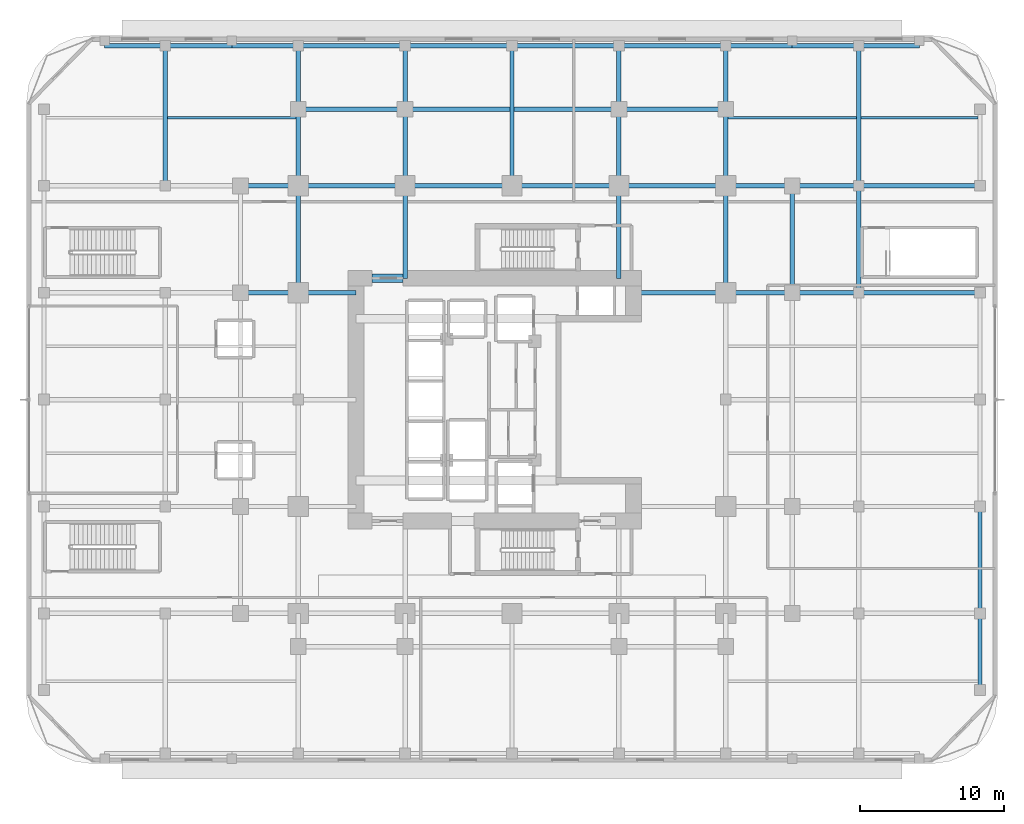
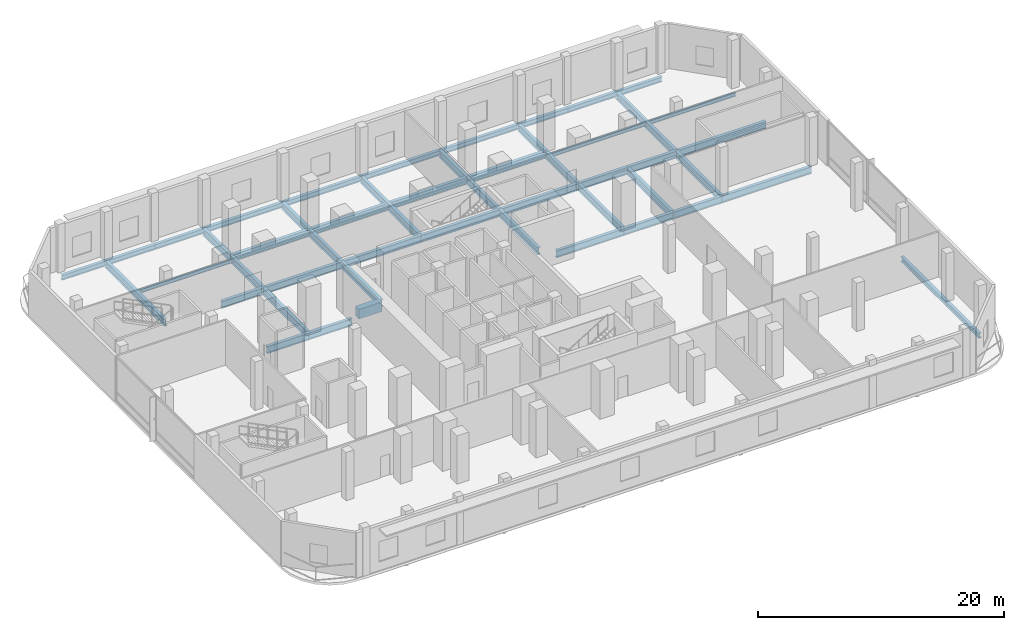
# One storey, part 5 of 19: 50 beams.
"""IFC4 building model written with IfcOpenShell, lengths in metres."""

from ifc_helpers import new_model, si_unit, direction, frame, origin, origin_2d, place, context, subcontext, project, spatial, rectangle, i_section, extrude, material, material_profile, profile_set, type_object, element, save


model = new_model("IFC4")

# Units and contexts
model_context = context("Model", 3, precision=1e-05, world=origin(), true_north=direction((0.0, 1.0)))
body_context = subcontext(model_context, "Body", "Model", "MODEL_VIEW")
ifc_project = project(units=[si_unit("LENGTHUNIT", "METRE"), si_unit("AREAUNIT", "SQUARE_METRE"), si_unit("VOLUMEUNIT", "CUBIC_METRE"), si_unit("PLANEANGLEUNIT", "RADIAN"), si_unit("MASSUNIT", "GRAM", prefix="KILO")], contexts=[model_context])

# Site, building, storey
site_placement = place(None, origin())
site = spatial("IfcSite", under=ifc_project, at=site_placement, CompositionType="ELEMENT")
building_placement = place(site_placement, origin())
building = spatial("IfcBuilding", under=site, at=building_placement, Name="Khorvyn Point Tower", CompositionType="ELEMENT")
storey_placement = place(building_placement, frame((0.0, 0.0, 21.60009765625)))
storey = spatial("IfcBuildingStorey", under=building, at=storey_placement, Name="L06", CompositionType="ELEMENT", Elevation=21.60009765625)

# Beams
ifc_material_1 = material(Name="Concrete C50/60", Category="concrete")
ifc_material_profile_1 = material_profile(ifc_material_1, rectangle(XDim=0.60009765625, YDim=0.949951171875, at=origin_2d()))
ifc_profile_set_1 = profile_set([ifc_material_profile_1], Name="Concrete C50/60 RC600x950")
beam_type_1 = type_object("IfcBeamType", Name="Concrete C50/60 Beam RC600x950", PredefinedType="BEAM", material=ifc_profile_set_1)
beam_1_placement = place(storey_placement, frame((-9.699951171875, 8.39990234375, -0.715087890625), z_axis=(1.0, 0.0, 0.0), x_axis=(0.0, 1.0, 0.0)))
element("IfcBeam", 1, at=beam_1_placement, inside=storey, type_object=beam_type_1, Name="L06 Core Northwest Portal Coupling Beam", PredefinedType="BEAM", context=body_context, shape_type="SweptSolid", body=[
    extrude(rectangle(XDim=0.60009765625, YDim=0.949951171875, at=origin_2d()), origin(), (0.0, 0.0, 1.0), 2.14990234375),
])
ifc_material_2 = material(Name="Steel S355", Category="steel")
ifc_material_profile_2 = material_profile(ifc_material_2, i_section(OverallWidth=0.300048828125, OverallDepth=0.699951171875, WebThickness=0.012939453125, FlangeThickness=0.02392578125, at=origin_2d()))
ifc_profile_set_2 = profile_set([ifc_material_profile_2], Name="Steel S355 H700x300x13x24")
beam_type_2 = type_object("IfcBeamType", Name="Steel S355 Beam H700x300x13x24", PredefinedType="BEAM", material=ifc_profile_set_2)
for number, where, z_axis, x_axis, name in (
    (2, (-18.800048828125, 7.39990234375, -0.590087890625), (1.0, 0.0, 0.0), (0.0, 1.0, 0.0), "Beam"),
    (3, (-14.800048828125, 7.39990234375, -0.590087890625), (1.0, 0.0, 0.0), (0.0, 1.0, 0.0), "Beam"),
):
    element("IfcBeam", number, at=place(storey_placement, frame(where, z_axis=z_axis, x_axis=x_axis)), inside=storey, type_object=beam_type_2, Name=name, PredefinedType="BEAM", context=body_context, shape_type="SweptSolid", body=[
        extrude(i_section(OverallWidth=0.300048828125, OverallDepth=0.699951171875, WebThickness=0.012939453125, FlangeThickness=0.02392578125, at=origin_2d()), origin(), (0.0, 0.0, 1.0), 4.0),
    ])
beam_2_placement = place(storey_placement, frame((8.39990234375, 7.39990234375, -0.590087890625), z_axis=(1.0, 0.0, 0.0), x_axis=(0.0, 1.0, 0.0)))
element("IfcBeam", 4, at=beam_2_placement, inside=storey, type_object=beam_type_2, Name="Beam", PredefinedType="BEAM", context=body_context, shape_type="SweptSolid", body=[
    extrude(i_section(OverallWidth=0.300048828125, OverallDepth=0.699951171875, WebThickness=0.012939453125, FlangeThickness=0.02392578125, at=origin_2d()), origin(), (0.0, 0.0, 1.0), 6.400146484375),
])
beam_3_placement = place(storey_placement, frame((14.800048828125, 7.39990234375, -0.590087890625), z_axis=(1.0, 0.0, 0.0), x_axis=(0.0, 1.0, 0.0)))
element("IfcBeam", 5, at=beam_3_placement, inside=storey, type_object=beam_type_2, Name="Beam", PredefinedType="BEAM", context=body_context, shape_type="SweptSolid", body=[
    extrude(i_section(OverallWidth=0.300048828125, OverallDepth=0.699951171875, WebThickness=0.012939453125, FlangeThickness=0.02392578125, at=origin_2d()), origin(), (0.0, 0.0, 1.0), 4.599853515625),
])
beam_4_placement = place(storey_placement, frame((19.39990234375, 7.39990234375, -0.590087890625), z_axis=(1.0, 0.0, 0.0), x_axis=(0.0, 1.0, 0.0)))
element("IfcBeam", 6, at=beam_4_placement, inside=storey, type_object=beam_type_2, Name="Beam", PredefinedType="BEAM", context=body_context, shape_type="SweptSolid", body=[
    extrude(i_section(OverallWidth=0.300048828125, OverallDepth=0.699951171875, WebThickness=0.012939453125, FlangeThickness=0.02392578125, at=origin_2d()), origin(), (0.0, 0.0, 1.0), 4.60009765625),
])
beam_5_placement = place(storey_placement, frame((24.0, 7.39990234375, -0.590087890625), z_axis=(1.0, 0.0, 0.0), x_axis=(0.0, 1.0, 0.0)))
element("IfcBeam", 7, at=beam_5_placement, inside=storey, type_object=beam_type_2, Name="Beam", PredefinedType="BEAM", context=body_context, shape_type="SweptSolid", body=[
    extrude(i_section(OverallWidth=0.300048828125, OverallDepth=0.699951171875, WebThickness=0.012939453125, FlangeThickness=0.02392578125, at=origin_2d()), origin(), (0.0, 0.0, 1.0), 8.39990234375),
])
beam_6_placement = place(storey_placement, frame((-18.800048828125, 14.800048828125, -0.590087890625), z_axis=(1.0, 0.0, 0.0), x_axis=(0.0, 1.0, 0.0)))
element("IfcBeam", 8, at=beam_6_placement, inside=storey, type_object=beam_type_2, Name="Beam", PredefinedType="BEAM", context=body_context, shape_type="SweptSolid", body=[
    extrude(i_section(OverallWidth=0.300048828125, OverallDepth=0.699951171875, WebThickness=0.012939453125, FlangeThickness=0.02392578125, at=origin_2d()), origin(), (0.0, 0.0, 1.0), 4.0),
])
beam_7_placement = place(storey_placement, frame((-14.800048828125, 14.800048828125, -0.590087890625), z_axis=(1.0, 0.0, 0.0), x_axis=(0.0, 1.0, 0.0)))
element("IfcBeam", 9, at=beam_7_placement, inside=storey, type_object=beam_type_2, Name="Beam", PredefinedType="BEAM", context=body_context, shape_type="SweptSolid", body=[
    extrude(i_section(OverallWidth=0.300048828125, OverallDepth=0.699951171875, WebThickness=0.012939453125, FlangeThickness=0.02392578125, at=origin_2d()), origin(), (0.0, 0.0, 1.0), 7.400146484375),
])
for number, where, z_axis, x_axis, name in (
    (10, (-7.39990234375, 14.800048828125, -0.590087890625), (1.0, 0.0, 0.0), (0.0, 1.0, 0.0), "Beam"),
    (11, (0.0, 14.800048828125, -0.590087890625), (1.0, 0.0, 0.0), (0.0, 1.0, 0.0), "Beam"),
):
    element("IfcBeam", number, at=place(storey_placement, frame(where, z_axis=z_axis, x_axis=x_axis)), inside=storey, type_object=beam_type_2, Name=name, PredefinedType="BEAM", context=body_context, shape_type="SweptSolid", body=[
        extrude(i_section(OverallWidth=0.300048828125, OverallDepth=0.699951171875, WebThickness=0.012939453125, FlangeThickness=0.02392578125, at=origin_2d()), origin(), (0.0, 0.0, 1.0), 7.39990234375),
    ])
beam_8_placement = place(storey_placement, frame((7.39990234375, 14.800048828125, -0.590087890625), z_axis=(1.0, 0.0, 0.0), x_axis=(0.0, 1.0, 0.0)))
element("IfcBeam", 12, at=beam_8_placement, inside=storey, type_object=beam_type_2, Name="Beam", PredefinedType="BEAM", context=body_context, shape_type="SweptSolid", body=[
    extrude(i_section(OverallWidth=0.300048828125, OverallDepth=0.699951171875, WebThickness=0.012939453125, FlangeThickness=0.02392578125, at=origin_2d()), origin(), (0.0, 0.0, 1.0), 7.400146484375),
])
beam_9_placement = place(storey_placement, frame((14.800048828125, 14.800048828125, -0.590087890625), z_axis=(1.0, 0.0, 0.0), x_axis=(0.0, 1.0, 0.0)))
element("IfcBeam", 13, at=beam_9_placement, inside=storey, type_object=beam_type_2, Name="Beam", PredefinedType="BEAM", context=body_context, shape_type="SweptSolid", body=[
    extrude(i_section(OverallWidth=0.300048828125, OverallDepth=0.699951171875, WebThickness=0.012939453125, FlangeThickness=0.02392578125, at=origin_2d()), origin(), (0.0, 0.0, 1.0), 4.599853515625),
])
beam_10_placement = place(storey_placement, frame((19.39990234375, 14.800048828125, -0.590087890625), z_axis=(1.0, 0.0, 0.0), x_axis=(0.0, 1.0, 0.0)))
element("IfcBeam", 14, at=beam_10_placement, inside=storey, type_object=beam_type_2, Name="Beam", PredefinedType="BEAM", context=body_context, shape_type="SweptSolid", body=[
    extrude(i_section(OverallWidth=0.300048828125, OverallDepth=0.699951171875, WebThickness=0.012939453125, FlangeThickness=0.02392578125, at=origin_2d()), origin(), (0.0, 0.0, 1.0), 4.60009765625),
])
beam_11_placement = place(storey_placement, frame((24.0, 14.800048828125, -0.590087890625), z_axis=(1.0, 0.0, 0.0), x_axis=(0.0, 1.0, 0.0)))
element("IfcBeam", 15, at=beam_11_placement, inside=storey, type_object=beam_type_2, Name="Beam", PredefinedType="BEAM", context=body_context, shape_type="SweptSolid", body=[
    extrude(i_section(OverallWidth=0.300048828125, OverallDepth=0.699951171875, WebThickness=0.012939453125, FlangeThickness=0.02392578125, at=origin_2d()), origin(), (0.0, 0.0, 1.0), 8.39990234375),
])
beam_12_placement = place(storey_placement, frame((-14.800048828125, 20.10009765625, -0.590087890625), z_axis=(1.0, 0.0, 0.0), x_axis=(0.0, 1.0, 0.0)))
element("IfcBeam", 16, at=beam_12_placement, inside=storey, type_object=beam_type_2, Name="Beam", PredefinedType="BEAM", context=body_context, shape_type="SweptSolid", body=[
    extrude(i_section(OverallWidth=0.300048828125, OverallDepth=0.699951171875, WebThickness=0.012939453125, FlangeThickness=0.02392578125, at=origin_2d()), origin(), (0.0, 0.0, 1.0), 7.400146484375),
])
beam_13_placement = place(storey_placement, frame((-7.39990234375, 20.10009765625, -0.590087890625), z_axis=(1.0, 0.0, 0.0), x_axis=(0.0, 1.0, 0.0)))
element("IfcBeam", 17, at=beam_13_placement, inside=storey, type_object=beam_type_2, Name="Beam", PredefinedType="BEAM", context=body_context, shape_type="SweptSolid", body=[
    extrude(i_section(OverallWidth=0.300048828125, OverallDepth=0.699951171875, WebThickness=0.012939453125, FlangeThickness=0.02392578125, at=origin_2d()), origin(), (0.0, 0.0, 1.0), 14.7998046875),
])
beam_14_placement = place(storey_placement, frame((7.39990234375, 20.10009765625, -0.590087890625), z_axis=(1.0, 0.0, 0.0), x_axis=(0.0, 1.0, 0.0)))
element("IfcBeam", 18, at=beam_14_placement, inside=storey, type_object=beam_type_2, Name="Beam", PredefinedType="BEAM", context=body_context, shape_type="SweptSolid", body=[
    extrude(i_section(OverallWidth=0.300048828125, OverallDepth=0.699951171875, WebThickness=0.012939453125, FlangeThickness=0.02392578125, at=origin_2d()), origin(), (0.0, 0.0, 1.0), 7.400146484375),
])
beam_15_placement = place(storey_placement, frame((-24.0, 14.800048828125, -0.590087890625), z_axis=(0.0, 1.0, 0.0), x_axis=(-1.0, 0.0, 0.0)))
element("IfcBeam", 19, at=beam_15_placement, inside=storey, type_object=beam_type_2, Name="Beam", PredefinedType="BEAM", context=body_context, shape_type="SweptSolid", body=[
    extrude(i_section(OverallWidth=0.300048828125, OverallDepth=0.699951171875, WebThickness=0.012939453125, FlangeThickness=0.02392578125, at=origin_2d()), origin(), (0.0, 0.0, 1.0), 9.699951171875),
])
beam_16_placement = place(storey_placement, frame((-14.800048828125, 7.39990234375, -0.590087890625), z_axis=(0.0, 1.0, 0.0), x_axis=(-1.0, 0.0, 0.0)))
element("IfcBeam", 20, at=beam_16_placement, inside=storey, type_object=beam_type_2, Name="Beam", PredefinedType="BEAM", context=body_context, shape_type="SweptSolid", body=[
    extrude(i_section(OverallWidth=0.300048828125, OverallDepth=0.699951171875, WebThickness=0.012939453125, FlangeThickness=0.02392578125, at=origin_2d()), origin(), (0.0, 0.0, 1.0), 7.400146484375),
])
beam_17_placement = place(storey_placement, frame((-14.800048828125, 14.800048828125, -0.590087890625), z_axis=(0.0, 1.0, 0.0), x_axis=(-1.0, 0.0, 0.0)))
element("IfcBeam", 21, at=beam_17_placement, inside=storey, type_object=beam_type_2, Name="Beam", PredefinedType="BEAM", context=body_context, shape_type="SweptSolid", body=[
    extrude(i_section(OverallWidth=0.300048828125, OverallDepth=0.699951171875, WebThickness=0.012939453125, FlangeThickness=0.02392578125, at=origin_2d()), origin(), (0.0, 0.0, 1.0), 5.300048828125),
])
beam_18_placement = place(storey_placement, frame((-14.800048828125, 20.10009765625, -0.590087890625), z_axis=(0.0, 1.0, 0.0), x_axis=(-1.0, 0.0, 0.0)))
element("IfcBeam", 22, at=beam_18_placement, inside=storey, type_object=beam_type_2, Name="Beam", PredefinedType="BEAM", context=body_context, shape_type="SweptSolid", body=[
    extrude(i_section(OverallWidth=0.300048828125, OverallDepth=0.699951171875, WebThickness=0.012939453125, FlangeThickness=0.02392578125, at=origin_2d()), origin(), (0.0, 0.0, 1.0), 4.39990234375),
])
beam_19_placement = place(storey_placement, frame((-7.39990234375, 8.39990234375, -0.590087890625), z_axis=(0.0, 1.0, 0.0), x_axis=(-1.0, 0.0, 0.0)))
element("IfcBeam", 23, at=beam_19_placement, inside=storey, type_object=beam_type_2, Name="Beam", PredefinedType="BEAM", context=body_context, shape_type="SweptSolid", body=[
    extrude(i_section(OverallWidth=0.300048828125, OverallDepth=0.699951171875, WebThickness=0.012939453125, FlangeThickness=0.02392578125, at=origin_2d()), origin(), (0.0, 0.0, 1.0), 6.400146484375),
])
beam_20_placement = place(storey_placement, frame((-7.39990234375, 14.800048828125, -0.590087890625), z_axis=(0.0, 1.0, 0.0), x_axis=(-1.0, 0.0, 0.0)))
element("IfcBeam", 24, at=beam_20_placement, inside=storey, type_object=beam_type_2, Name="Beam", PredefinedType="BEAM", context=body_context, shape_type="SweptSolid", body=[
    extrude(i_section(OverallWidth=0.300048828125, OverallDepth=0.699951171875, WebThickness=0.012939453125, FlangeThickness=0.02392578125, at=origin_2d()), origin(), (0.0, 0.0, 1.0), 5.300048828125),
])
beam_21_placement = place(storey_placement, frame((-7.39990234375, 20.10009765625, -0.590087890625), z_axis=(0.0, 1.0, 0.0), x_axis=(-1.0, 0.0, 0.0)))
element("IfcBeam", 25, at=beam_21_placement, inside=storey, type_object=beam_type_2, Name="Beam", PredefinedType="BEAM", context=body_context, shape_type="SweptSolid", body=[
    extrude(i_section(OverallWidth=0.300048828125, OverallDepth=0.699951171875, WebThickness=0.012939453125, FlangeThickness=0.02392578125, at=origin_2d()), origin(), (0.0, 0.0, 1.0), 4.39990234375),
])
beam_22_placement = place(storey_placement, frame((0.0, 14.800048828125, -0.590087890625), z_axis=(0.0, 1.0, 0.0), x_axis=(-1.0, 0.0, 0.0)))
element("IfcBeam", 26, at=beam_22_placement, inside=storey, type_object=beam_type_2, Name="Beam", PredefinedType="BEAM", context=body_context, shape_type="SweptSolid", body=[
    extrude(i_section(OverallWidth=0.300048828125, OverallDepth=0.699951171875, WebThickness=0.012939453125, FlangeThickness=0.02392578125, at=origin_2d()), origin(), (0.0, 0.0, 1.0), 9.699951171875),
])
beam_23_placement = place(storey_placement, frame((7.39990234375, 8.39990234375, -0.590087890625), z_axis=(0.0, 1.0, 0.0), x_axis=(-1.0, 0.0, 0.0)))
element("IfcBeam", 27, at=beam_23_placement, inside=storey, type_object=beam_type_2, Name="Beam", PredefinedType="BEAM", context=body_context, shape_type="SweptSolid", body=[
    extrude(i_section(OverallWidth=0.300048828125, OverallDepth=0.699951171875, WebThickness=0.012939453125, FlangeThickness=0.02392578125, at=origin_2d()), origin(), (0.0, 0.0, 1.0), 6.400146484375),
])
beam_24_placement = place(storey_placement, frame((7.39990234375, 14.800048828125, -0.590087890625), z_axis=(0.0, 1.0, 0.0), x_axis=(-1.0, 0.0, 0.0)))
element("IfcBeam", 28, at=beam_24_placement, inside=storey, type_object=beam_type_2, Name="Beam", PredefinedType="BEAM", context=body_context, shape_type="SweptSolid", body=[
    extrude(i_section(OverallWidth=0.300048828125, OverallDepth=0.699951171875, WebThickness=0.012939453125, FlangeThickness=0.02392578125, at=origin_2d()), origin(), (0.0, 0.0, 1.0), 5.300048828125),
])
beam_25_placement = place(storey_placement, frame((7.39990234375, 20.10009765625, -0.590087890625), z_axis=(0.0, 1.0, 0.0), x_axis=(-1.0, 0.0, 0.0)))
element("IfcBeam", 29, at=beam_25_placement, inside=storey, type_object=beam_type_2, Name="Beam", PredefinedType="BEAM", context=body_context, shape_type="SweptSolid", body=[
    extrude(i_section(OverallWidth=0.300048828125, OverallDepth=0.699951171875, WebThickness=0.012939453125, FlangeThickness=0.02392578125, at=origin_2d()), origin(), (0.0, 0.0, 1.0), 4.39990234375),
])
beam_26_placement = place(storey_placement, frame((14.800048828125, 7.39990234375, -0.590087890625), z_axis=(0.0, 1.0, 0.0), x_axis=(-1.0, 0.0, 0.0)))
element("IfcBeam", 30, at=beam_26_placement, inside=storey, type_object=beam_type_2, Name="Beam", PredefinedType="BEAM", context=body_context, shape_type="SweptSolid", body=[
    extrude(i_section(OverallWidth=0.300048828125, OverallDepth=0.699951171875, WebThickness=0.012939453125, FlangeThickness=0.02392578125, at=origin_2d()), origin(), (0.0, 0.0, 1.0), 7.400146484375),
])
beam_27_placement = place(storey_placement, frame((14.800048828125, 14.800048828125, -0.590087890625), z_axis=(0.0, 1.0, 0.0), x_axis=(-1.0, 0.0, 0.0)))
element("IfcBeam", 31, at=beam_27_placement, inside=storey, type_object=beam_type_2, Name="Beam", PredefinedType="BEAM", context=body_context, shape_type="SweptSolid", body=[
    extrude(i_section(OverallWidth=0.300048828125, OverallDepth=0.699951171875, WebThickness=0.012939453125, FlangeThickness=0.02392578125, at=origin_2d()), origin(), (0.0, 0.0, 1.0), 5.300048828125),
])
beam_28_placement = place(storey_placement, frame((14.800048828125, 20.10009765625, -0.590087890625), z_axis=(0.0, 1.0, 0.0), x_axis=(-1.0, 0.0, 0.0)))
element("IfcBeam", 32, at=beam_28_placement, inside=storey, type_object=beam_type_2, Name="Beam", PredefinedType="BEAM", context=body_context, shape_type="SweptSolid", body=[
    extrude(i_section(OverallWidth=0.300048828125, OverallDepth=0.699951171875, WebThickness=0.012939453125, FlangeThickness=0.02392578125, at=origin_2d()), origin(), (0.0, 0.0, 1.0), 4.39990234375),
])
beam_29_placement = place(storey_placement, frame((24.0, 7.39990234375, -0.590087890625), z_axis=(0.0, 1.0, 0.0), x_axis=(-1.0, 0.0, 0.0)))
element("IfcBeam", 33, at=beam_29_placement, inside=storey, type_object=beam_type_2, Name="Beam", PredefinedType="BEAM", context=body_context, shape_type="SweptSolid", body=[
    extrude(i_section(OverallWidth=0.300048828125, OverallDepth=0.699951171875, WebThickness=0.012939453125, FlangeThickness=0.02392578125, at=origin_2d()), origin(), (0.0, 0.0, 1.0), 7.400146484375),
])
beam_30_placement = place(storey_placement, frame((24.0, 14.800048828125, -0.590087890625), z_axis=(0.0, 1.0, 0.0), x_axis=(-1.0, 0.0, 0.0)))
element("IfcBeam", 34, at=beam_30_placement, inside=storey, type_object=beam_type_2, Name="Beam", PredefinedType="BEAM", context=body_context, shape_type="SweptSolid", body=[
    extrude(i_section(OverallWidth=0.300048828125, OverallDepth=0.699951171875, WebThickness=0.012939453125, FlangeThickness=0.02392578125, at=origin_2d()), origin(), (0.0, 0.0, 1.0), 9.699951171875),
])
beam_31_placement = place(storey_placement, frame((19.39990234375, 7.39990234375, -0.590087890625), z_axis=(0.0, 1.0, 0.0), x_axis=(-1.0, 0.0, 0.0)))
element("IfcBeam", 35, at=beam_31_placement, inside=storey, type_object=beam_type_2, Name="Beam", PredefinedType="BEAM", context=body_context, shape_type="SweptSolid", body=[
    extrude(i_section(OverallWidth=0.300048828125, OverallDepth=0.699951171875, WebThickness=0.012939453125, FlangeThickness=0.02392578125, at=origin_2d()), origin(), (0.0, 0.0, 1.0), 7.400146484375),
])
ifc_material_profile_3 = material_profile(ifc_material_2, i_section(OverallWidth=0.175048828125, OverallDepth=0.35009765625, WebThickness=0.007080078125, FlangeThickness=0.010986328125, at=origin_2d()))
ifc_profile_set_3 = profile_set([ifc_material_profile_3], Name="Steel S355 H350x175x7x11")
beam_type_3 = type_object("IfcBeamType", Name="Steel S355 Joist H350x175x7x11", PredefinedType="JOIST", material=ifc_profile_set_3)
for number, where, z_axis, x_axis, name in (
    (36, (-23.85009765625, 19.5, -0.4150390625), (1.0, 0.0, 0.0), (0.0, 1.0, 0.0), "Beam"),
    (37, (14.949951171875, 19.5, -0.4150390625), (1.0, 0.0, 0.0), (0.0, 1.0, 0.0), "Beam"),
):
    element("IfcBeam", number, at=place(storey_placement, frame(where, z_axis=z_axis, x_axis=x_axis)), inside=storey, type_object=beam_type_3, Name=name, PredefinedType="JOIST", context=body_context, shape_type="SweptSolid", body=[
        extrude(i_section(OverallWidth=0.175048828125, OverallDepth=0.35009765625, WebThickness=0.007080078125, FlangeThickness=0.010986328125, at=origin_2d()), origin(), (0.0, 0.0, 1.0), 8.900146484375),
    ])
beam_32_placement = place(storey_placement, frame((24.14990234375, 19.5, -0.4150390625), z_axis=(1.0, 0.0, 0.0), x_axis=(0.0, 1.0, 0.0)))
element("IfcBeam", 38, at=beam_32_placement, inside=storey, type_object=beam_type_3, Name="Beam", PredefinedType="JOIST", context=body_context, shape_type="SweptSolid", body=[
    extrude(i_section(OverallWidth=0.175048828125, OverallDepth=0.35009765625, WebThickness=0.007080078125, FlangeThickness=0.010986328125, at=origin_2d()), origin(), (0.0, 0.0, 1.0), 8.10009765625),
])
ifc_material_profile_4 = material_profile(ifc_material_2, i_section(OverallWidth=0.300048828125, OverallDepth=0.488037109375, WebThickness=0.010986328125, FlangeThickness=0.01806640625, at=origin_2d()))
ifc_profile_set_4 = profile_set([ifc_material_profile_4], Name="Steel S355 H488x300x11x18")
beam_type_4 = type_object("IfcBeamType", Name="Steel S355 Spandrel H488x300x11x18", PredefinedType="SPANDREL", material=ifc_profile_set_4)
beam_33_placement = place(storey_placement, frame((-28.199951171875, 24.5, -0.484130859375), z_axis=(1.0, 0.0, 0.0), x_axis=(0.0, 1.0, 0.0)))
element("IfcBeam", 39, at=beam_33_placement, inside=storey, type_object=beam_type_4, Name="Beam", PredefinedType="SPANDREL", context=body_context, shape_type="SweptSolid", body=[
    extrude(i_section(OverallWidth=0.300048828125, OverallDepth=0.488037109375, WebThickness=0.010986328125, FlangeThickness=0.01806640625, at=origin_2d()), origin(), (0.0, 0.0, 1.0), 4.199951171875),
])
beam_34_placement = place(storey_placement, frame((-24.0, 24.5, -0.484130859375), z_axis=(1.0, 0.0, 0.0), x_axis=(0.0, 1.0, 0.0)))
element("IfcBeam", 40, at=beam_34_placement, inside=storey, type_object=beam_type_4, Name="Beam", PredefinedType="SPANDREL", context=body_context, shape_type="SweptSolid", body=[
    extrude(i_section(OverallWidth=0.300048828125, OverallDepth=0.488037109375, WebThickness=0.010986328125, FlangeThickness=0.01806640625, at=origin_2d()), origin(), (0.0, 0.0, 1.0), 4.60009765625),
])
beam_35_placement = place(storey_placement, frame((-19.39990234375, 24.5, -0.484130859375), z_axis=(1.0, 0.0, 0.0), x_axis=(0.0, 1.0, 0.0)))
element("IfcBeam", 41, at=beam_35_placement, inside=storey, type_object=beam_type_4, Name="Beam", PredefinedType="SPANDREL", context=body_context, shape_type="SweptSolid", body=[
    extrude(i_section(OverallWidth=0.300048828125, OverallDepth=0.488037109375, WebThickness=0.010986328125, FlangeThickness=0.01806640625, at=origin_2d()), origin(), (0.0, 0.0, 1.0), 4.599853515625),
])
beam_36_placement = place(storey_placement, frame((-14.800048828125, 24.5, -0.484130859375), z_axis=(1.0, 0.0, 0.0), x_axis=(0.0, 1.0, 0.0)))
element("IfcBeam", 42, at=beam_36_placement, inside=storey, type_object=beam_type_4, Name="Beam", PredefinedType="SPANDREL", context=body_context, shape_type="SweptSolid", body=[
    extrude(i_section(OverallWidth=0.300048828125, OverallDepth=0.488037109375, WebThickness=0.010986328125, FlangeThickness=0.01806640625, at=origin_2d()), origin(), (0.0, 0.0, 1.0), 7.400146484375),
])
for number, where, z_axis, x_axis, name in (
    (43, (-7.39990234375, 24.5, -0.484130859375), (1.0, 0.0, 0.0), (0.0, 1.0, 0.0), "Beam"),
    (44, (0.0, 24.5, -0.484130859375), (1.0, 0.0, 0.0), (0.0, 1.0, 0.0), "Beam"),
):
    element("IfcBeam", number, at=place(storey_placement, frame(where, z_axis=z_axis, x_axis=x_axis)), inside=storey, type_object=beam_type_4, Name=name, PredefinedType="SPANDREL", context=body_context, shape_type="SweptSolid", body=[
        extrude(i_section(OverallWidth=0.300048828125, OverallDepth=0.488037109375, WebThickness=0.010986328125, FlangeThickness=0.01806640625, at=origin_2d()), origin(), (0.0, 0.0, 1.0), 7.39990234375),
    ])
beam_37_placement = place(storey_placement, frame((7.39990234375, 24.5, -0.484130859375), z_axis=(1.0, 0.0, 0.0), x_axis=(0.0, 1.0, 0.0)))
element("IfcBeam", 45, at=beam_37_placement, inside=storey, type_object=beam_type_4, Name="Beam", PredefinedType="SPANDREL", context=body_context, shape_type="SweptSolid", body=[
    extrude(i_section(OverallWidth=0.300048828125, OverallDepth=0.488037109375, WebThickness=0.010986328125, FlangeThickness=0.01806640625, at=origin_2d()), origin(), (0.0, 0.0, 1.0), 7.400146484375),
])
beam_38_placement = place(storey_placement, frame((14.800048828125, 24.5, -0.484130859375), z_axis=(1.0, 0.0, 0.0), x_axis=(0.0, 1.0, 0.0)))
element("IfcBeam", 46, at=beam_38_placement, inside=storey, type_object=beam_type_4, Name="Beam", PredefinedType="SPANDREL", context=body_context, shape_type="SweptSolid", body=[
    extrude(i_section(OverallWidth=0.300048828125, OverallDepth=0.488037109375, WebThickness=0.010986328125, FlangeThickness=0.01806640625, at=origin_2d()), origin(), (0.0, 0.0, 1.0), 4.599853515625),
])
beam_39_placement = place(storey_placement, frame((19.39990234375, 24.5, -0.484130859375), z_axis=(1.0, 0.0, 0.0), x_axis=(0.0, 1.0, 0.0)))
element("IfcBeam", 47, at=beam_39_placement, inside=storey, type_object=beam_type_4, Name="Beam", PredefinedType="SPANDREL", context=body_context, shape_type="SweptSolid", body=[
    extrude(i_section(OverallWidth=0.300048828125, OverallDepth=0.488037109375, WebThickness=0.010986328125, FlangeThickness=0.01806640625, at=origin_2d()), origin(), (0.0, 0.0, 1.0), 4.60009765625),
])
beam_40_placement = place(storey_placement, frame((24.0, 24.5, -0.484130859375), z_axis=(1.0, 0.0, 0.0), x_axis=(0.0, 1.0, 0.0)))
element("IfcBeam", 48, at=beam_40_placement, inside=storey, type_object=beam_type_4, Name="Beam", PredefinedType="SPANDREL", context=body_context, shape_type="SweptSolid", body=[
    extrude(i_section(OverallWidth=0.300048828125, OverallDepth=0.488037109375, WebThickness=0.010986328125, FlangeThickness=0.01806640625, at=origin_2d()), origin(), (0.0, 0.0, 1.0), 4.199951171875),
])
beam_41_placement = place(storey_placement, frame((32.39990234375, -20.10009765625, -0.484130859375), z_axis=(0.0, 1.0, 0.0), x_axis=(-1.0, 0.0, 0.0)))
element("IfcBeam", 49, at=beam_41_placement, inside=storey, type_object=beam_type_4, Name="Beam", PredefinedType="SPANDREL", context=body_context, shape_type="SweptSolid", body=[
    extrude(i_section(OverallWidth=0.300048828125, OverallDepth=0.488037109375, WebThickness=0.010986328125, FlangeThickness=0.01806640625, at=origin_2d()), origin(), (0.0, 0.0, 1.0), 5.300048828125),
])
beam_42_placement = place(storey_placement, frame((32.39990234375, -14.800048828125, -0.484130859375), z_axis=(0.0, 1.0, 0.0), x_axis=(-1.0, 0.0, 0.0)))
element("IfcBeam", 50, at=beam_42_placement, inside=storey, type_object=beam_type_4, Name="Beam", PredefinedType="SPANDREL", context=body_context, shape_type="SweptSolid", body=[
    extrude(i_section(OverallWidth=0.300048828125, OverallDepth=0.488037109375, WebThickness=0.010986328125, FlangeThickness=0.01806640625, at=origin_2d()), origin(), (0.0, 0.0, 1.0), 7.400146484375),
])

save(model, "model.ifc")
